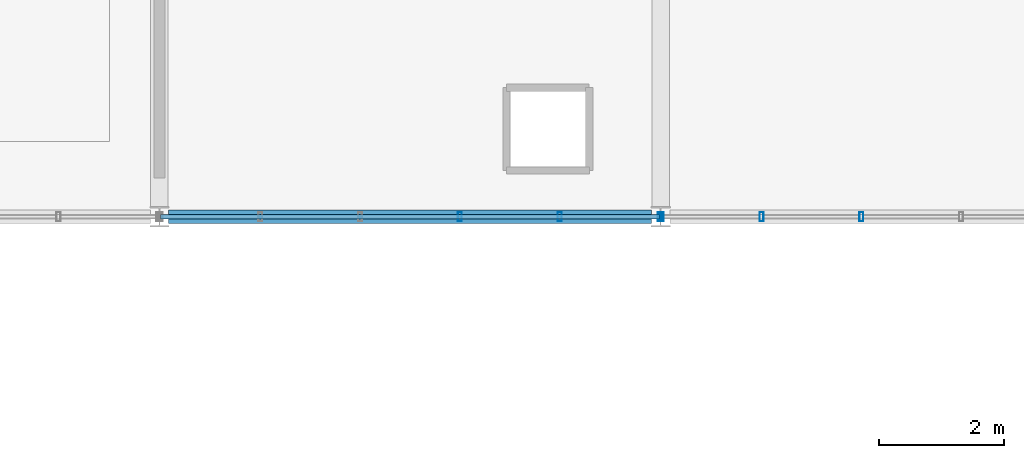
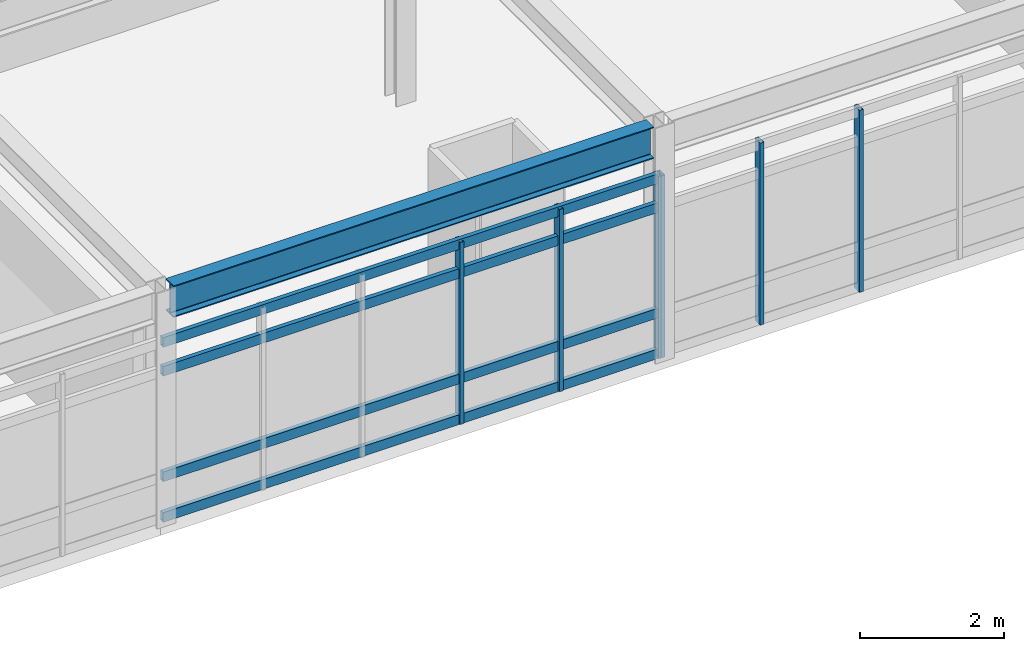
# One storey, part 51 of 85: 10 members, 1 beam, 2 elements without a shape of their own.
"""IFC4 building model written with IfcOpenShell, lengths in metres."""

from ifc_helpers import new_model, si_unit, direction, frame, origin, origin_2d, place, context, subcontext, project, spatial, hollow_rectangle, i_section, extrude, material, material_profile, profile_set, type_object, element, aggregate, save


model = new_model("IFC4")

# Units and contexts
model_context = context("Model", 3, precision=1e-05, world=origin(), true_north=direction((0.0, 1.0)))
body_context = subcontext(model_context, "Body", "Model", "MODEL_VIEW")
ifc_project = project(units=[si_unit("LENGTHUNIT", "METRE"), si_unit("AREAUNIT", "SQUARE_METRE"), si_unit("VOLUMEUNIT", "CUBIC_METRE"), si_unit("PLANEANGLEUNIT", "RADIAN"), si_unit("MASSUNIT", "GRAM", prefix="KILO")], contexts=[model_context])

# Site, building, storey
site_placement = place(None, origin())
site = spatial("IfcSite", under=ifc_project, at=site_placement, CompositionType="ELEMENT")
building_placement = place(site_placement, origin())
building = spatial("IfcBuilding", under=site, at=building_placement, Name="Zulena Civic Courthouse", CompositionType="ELEMENT")
storey_placement = place(building_placement, frame((0.0, 0.0, 25.199951171875)))
storey = spatial("IfcBuildingStorey", under=building, at=storey_placement, Name="L05", CompositionType="ELEMENT", Elevation=25.199951171875)

# Curtain wall, members
ifc_material_1 = material(Name="Double-silver low-E laminated solar-control glass", Category="glass")
curtain_wall_type = type_object("IfcCurtainWallType", Name="CW_7964x3090", PredefinedType="USERDEFINED", material=ifc_material_1)
curtain_wall_1_placement = place(storey_placement, origin())
curtain_wall_1 = element("IfcCurtainWall", 1, at=curtain_wall_1_placement, inside=storey, type_object=curtain_wall_type, Name="cw:V3:L05:3:0", ObjectType="UNITISED CURTAIN WALL", PredefinedType="USERDEFINED")
ifc_material_2 = material(Name="Bronze anodised thermally broken aluminium AA6063-T6", Category="aluminium")
ifc_material_profile_1 = material_profile(ifc_material_2, hollow_rectangle(XDim=0.06494140625, YDim=0.14990234375, WallThickness=0.00390625, at=origin_2d()), Name="CWM150X65X4")
ifc_profile_set_1 = profile_set([ifc_material_profile_1], Name="Bronze anodised thermally broken aluminium AA6063-T6")
member_type_1 = type_object("IfcMemberType", Name="CWMullion_150x65", PredefinedType="MULLION", material=ifc_profile_set_1)
member_1_placement = place(storey_placement, frame((159.20361328125, 30.800048828125, 0.0), z_axis=(0.0, 0.0, 1.0), x_axis=(1.0, 0.0, 0.0)))
member_1 = element("IfcMember", 2, at=member_1_placement, type_object=member_type_1, Name="cw:V3:L05:3:0:mull:3", PredefinedType="MULLION", context=body_context, shape_type="SweptSolid", body=[
    extrude(hollow_rectangle(XDim=0.06494140625, YDim=0.14990234375, WallThickness=0.00390625, at=origin_2d()), origin(), (0.0, 0.0, 1.0), 3.090087890625),
])
member_2_placement = place(storey_placement, frame((157.61083984375, 30.800048828125, 0.0), z_axis=(0.0, 0.0, 1.0), x_axis=(1.0, 0.0, 0.0)))
member_2 = element("IfcMember", 3, at=member_2_placement, type_object=member_type_1, Name="cw:V3:L05:3:0:mull:4", PredefinedType="MULLION", context=body_context, shape_type="SweptSolid", body=[
    extrude(hollow_rectangle(XDim=0.06494140625, YDim=0.14990234375, WallThickness=0.00390625, at=origin_2d()), origin(), (0.0, 0.0, 1.0), 3.090087890625),
])
member_3_placement = place(storey_placement, frame((156.01806640625, 30.800048828125, 0.0), z_axis=(0.0, 0.0, 1.0), x_axis=(1.0, 0.0, 0.0)))
member_3 = element("IfcMember", 4, at=member_3_placement, type_object=member_type_1, Name="cw:V3:L05:3:0:mull:5", PredefinedType="MULLION", context=body_context, shape_type="SweptSolid", body=[
    extrude(hollow_rectangle(XDim=0.06494140625, YDim=0.14990234375, WallThickness=0.00390625, at=origin_2d()), origin(), (0.0, 0.0, 1.0), 3.090087890625),
])
aggregate(curtain_wall_1, [member_1, member_2, member_3])

curtain_wall_2_placement = place(storey_placement, origin())
curtain_wall_2 = element("IfcCurtainWall", 5, at=curtain_wall_2_placement, inside=storey, type_object=curtain_wall_type, Name="cw:V3:L05:3:1", ObjectType="UNITISED CURTAIN WALL", PredefinedType="USERDEFINED")
member_4_placement = place(storey_placement, frame((155.98193359375, 30.800048828125, 0.0), z_axis=(0.0, 0.0, 1.0), x_axis=(1.0, 0.0, 0.0)))
member_4 = element("IfcMember", 6, at=member_4_placement, type_object=member_type_1, Name="cw:V3:L05:3:1:mull:0", PredefinedType="MULLION", context=body_context, shape_type="SweptSolid", body=[
    extrude(hollow_rectangle(XDim=0.06494140625, YDim=0.14990234375, WallThickness=0.00390625, at=origin_2d()), origin(), (0.0, 0.0, 1.0), 3.090087890625),
])
member_5_placement = place(storey_placement, frame((154.38916015625, 30.800048828125, 0.0), z_axis=(0.0, 0.0, 1.0), x_axis=(1.0, 0.0, 0.0)))
member_5 = element("IfcMember", 7, at=member_5_placement, type_object=member_type_1, Name="cw:V3:L05:3:1:mull:1", PredefinedType="MULLION", context=body_context, shape_type="SweptSolid", body=[
    extrude(hollow_rectangle(XDim=0.06494140625, YDim=0.14990234375, WallThickness=0.00390625, at=origin_2d()), origin(), (0.0, 0.0, 1.0), 3.090087890625),
])
member_6_placement = place(storey_placement, frame((152.79638671875, 30.800048828125, 0.0), z_axis=(0.0, 0.0, 1.0), x_axis=(1.0, 0.0, 0.0)))
member_6 = element("IfcMember", 8, at=member_6_placement, type_object=member_type_1, Name="cw:V3:L05:3:1:mull:2", PredefinedType="MULLION", context=body_context, shape_type="SweptSolid", body=[
    extrude(hollow_rectangle(XDim=0.06494140625, YDim=0.14990234375, WallThickness=0.00390625, at=origin_2d()), origin(), (0.0, 0.0, 1.0), 3.090087890625),
])
ifc_material_profile_2 = material_profile(ifc_material_2, hollow_rectangle(XDim=0.070068359375, YDim=0.1650390625, WallThickness=0.00390625, at=origin_2d()), Name="CWT165X70X4")
ifc_profile_set_2 = profile_set([ifc_material_profile_2], Name="Bronze anodised thermally broken aluminium AA6063-T6")
member_type_2 = type_object("IfcMemberType", Name="CWTransom_165x70", PredefinedType="USERDEFINED", material=ifc_profile_set_2)
member_7_placement = place(storey_placement, frame((155.98193359375, 30.800048828125, 0.06005859375), z_axis=(-1.0, 0.0, 0.0), x_axis=(0.0, -1.0, 0.0)))
member_7 = element("IfcMember", 9, at=member_7_placement, type_object=member_type_2, Name="cw:V3:L05:3:1:tran:0", ObjectType="TRANSOM", PredefinedType="USERDEFINED", context=body_context, shape_type="SweptSolid", body=[
    extrude(hollow_rectangle(XDim=0.070068359375, YDim=0.1650390625, WallThickness=0.00390625, at=origin_2d()), origin(), (0.0, 0.0, 1.0), 7.9638671875),
])
member_8_placement = place(storey_placement, frame((155.98193359375, 30.800048828125, 0.75), z_axis=(-1.0, 0.0, 0.0), x_axis=(0.0, -1.0, 0.0)))
member_8 = element("IfcMember", 10, at=member_8_placement, type_object=member_type_2, Name="cw:V3:L05:3:1:tran:1", ObjectType="TRANSOM", PredefinedType="USERDEFINED", context=body_context, shape_type="SweptSolid", body=[
    extrude(hollow_rectangle(XDim=0.070068359375, YDim=0.1650390625, WallThickness=0.00390625, at=origin_2d()), origin(), (0.0, 0.0, 1.0), 7.9638671875),
])
member_9_placement = place(storey_placement, frame((155.98193359375, 30.800048828125, 2.5400390625), z_axis=(-1.0, 0.0, 0.0), x_axis=(0.0, -1.0, 0.0)))
member_9 = element("IfcMember", 11, at=member_9_placement, type_object=member_type_2, Name="cw:V3:L05:3:1:tran:2", ObjectType="TRANSOM", PredefinedType="USERDEFINED", context=body_context, shape_type="SweptSolid", body=[
    extrude(hollow_rectangle(XDim=0.070068359375, YDim=0.1650390625, WallThickness=0.00390625, at=origin_2d()), origin(), (0.0, 0.0, 1.0), 7.9638671875),
])
member_10_placement = place(storey_placement, frame((155.98193359375, 30.800048828125, 3.030029296875), z_axis=(-1.0, 0.0, 0.0), x_axis=(0.0, -1.0, 0.0)))
member_10 = element("IfcMember", 12, at=member_10_placement, type_object=member_type_2, Name="cw:V3:L05:3:1:tran:3", ObjectType="TRANSOM", PredefinedType="USERDEFINED", context=body_context, shape_type="SweptSolid", body=[
    extrude(hollow_rectangle(XDim=0.070068359375, YDim=0.1650390625, WallThickness=0.00390625, at=origin_2d()), origin(), (0.0, 0.0, 1.0), 7.9638671875),
])
aggregate(curtain_wall_2, [member_4, member_5, member_6, member_7, member_8, member_9, member_10])

# Beam
ifc_material_3 = material(Name="Steel ASTM A992 Grade 50", Category="steel")
ifc_material_profile_3 = material_profile(ifc_material_3, i_section(OverallWidth=0.2099609375, OverallDepth=0.537109375, WebThickness=0.010986328125, FlangeThickness=0.017333984375, FilletRadius=0.0126953125, at=origin_2d()), Name="W21X68")
ifc_profile_set_3 = profile_set([ifc_material_profile_3], Name="Steel ASTM A992 Grade 50")
beam_type = type_object("IfcBeamType", Name="Spandrel_W21X68", PredefinedType="SPANDREL", material=ifc_profile_set_3)
beam_placement = place(storey_placement, frame((148.14501953125, 30.800048828125, 3.721435546875), z_axis=(1.0, 0.0, 0.0), x_axis=(0.0, 1.0, 0.0)))
element("IfcBeam", 13, at=beam_placement, inside=storey, type_object=beam_type, Name="beam:X:V3:L05:30.8:148.0_156.0", PredefinedType="SPANDREL", context=body_context, shape_type="SweptSolid", body=[
    extrude(i_section(OverallWidth=0.2099609375, OverallDepth=0.537109375, WebThickness=0.010986328125, FlangeThickness=0.017333984375, FilletRadius=0.0126953125, at=origin_2d()), origin(), (0.0, 0.0, 1.0), 7.7099609375),
])

save(model, "model.ifc")
